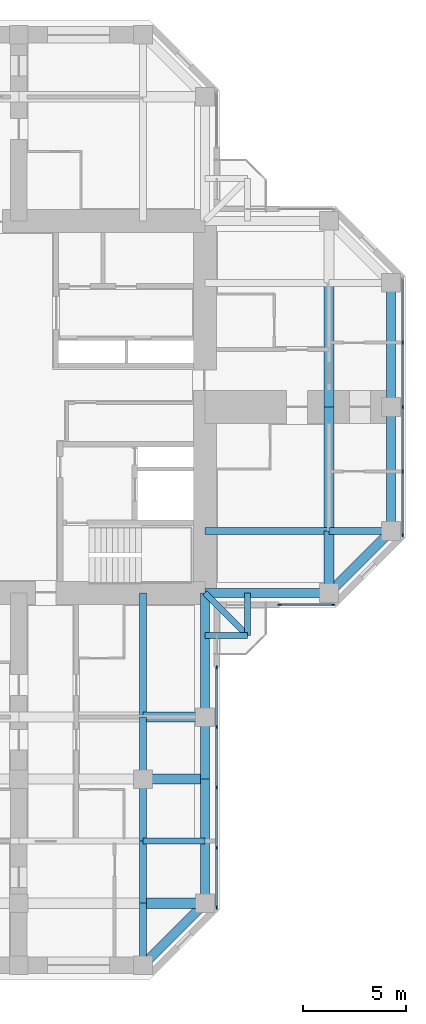
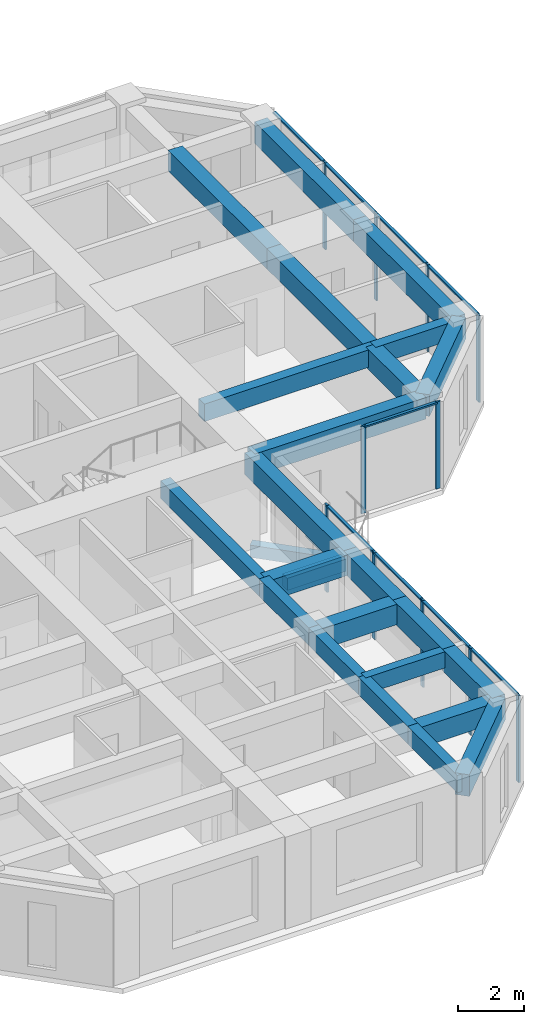
# One storey, part 4 of 14: 26 beams, 20 members, 3 elements without a shape of their own.
"""IFC4 building model written with IfcOpenShell, lengths in metres."""

from ifc_helpers import new_model, si_unit, direction, frame, origin, origin_2d, place, context, subcontext, project, spatial, rectangle, extrude, material, material_profile, profile_set, type_object, element, aggregate, save


model = new_model("IFC4")

# Units and contexts
model_context = context("Model", 3, precision=1e-05, world=origin(), true_north=direction((0.0, 1.0)))
body_context = subcontext(model_context, "Body", "Model", "MODEL_VIEW")
ifc_project = project(units=[si_unit("LENGTHUNIT", "METRE"), si_unit("AREAUNIT", "SQUARE_METRE"), si_unit("VOLUMEUNIT", "CUBIC_METRE"), si_unit("PLANEANGLEUNIT", "RADIAN"), si_unit("MASSUNIT", "GRAM", prefix="KILO")], contexts=[model_context])

# Site, building, storey
site_placement = place(None, origin())
site = spatial("IfcSite", under=ifc_project, at=site_placement, CompositionType="ELEMENT")
building_placement = place(site_placement, origin())
building = spatial("IfcBuilding", under=site, at=building_placement, Name="Torre Cruceta", CompositionType="ELEMENT")
storey_placement = place(building_placement, frame((0.0, 0.0, 176.300048828125)))
storey = spatial("IfcBuildingStorey", under=building, at=storey_placement, Name="L43", CompositionType="ELEMENT", Elevation=176.300048828125)

# Beams
ifc_material_1 = material(Name="Concrete G60 (fck 60 MPa)", Category="concrete")
ifc_material_profile_1 = material_profile(ifc_material_1, rectangle(XDim=0.300048828125, YDim=0.449951171875, at=origin_2d()), Name="RC 300X450")
ifc_profile_set_1 = profile_set([ifc_material_profile_1], Name="Concrete G60 (fck 60 MPa)")
beam_type_1 = type_object("IfcBeamType", Name="BALCONY CANTILEVER BEAM RC 300X450", PredefinedType="BEAM", material=ifc_profile_set_1)
beam_1_placement = place(storey_placement, frame((9.0, -9.0, -0.405029296875), z_axis=(0.707106781187, -0.707106781187, 0.0), x_axis=(0.707106781187, 0.707106781187, 0.0)))
element("IfcBeam", 1, at=beam_1_placement, inside=storey, type_object=beam_type_1, Name="BB1 balcony beam L43 S", PredefinedType="BEAM", context=body_context, shape_type="SweptSolid", body=[
    extrude(rectangle(XDim=0.300048828125, YDim=0.449951171875, at=origin_2d()), origin(), (0.0, 0.0, 1.0), 2.89990234375),
])
for number, where, z_axis, x_axis, name in (
    (2, (11.050537109375, -9.0, -0.405029296875), (0.0, -1.0, 0.0), (1.0, 0.0, 0.0), "BB1 balcony edge beam L43 S-X"),
    (3, (9.0, -11.050537109375, -0.405029296875), (1.0, 0.0, 0.0), (0.0, 1.0, 0.0), "BB1 balcony edge beam L43 S-Y"),
):
    element("IfcBeam", number, at=place(storey_placement, frame(where, z_axis=z_axis, x_axis=x_axis)), inside=storey, type_object=beam_type_1, Name=name, PredefinedType="BEAM", context=body_context, shape_type="SweptSolid", body=[
        extrude(rectangle(XDim=0.300048828125, YDim=0.449951171875, at=origin_2d()), origin(), (0.0, 0.0, 1.0), 2.050537109375),
    ])
ifc_material_2 = material(Name="Concrete G60 (fck 60 MPa)", Category="concrete")
ifc_material_profile_2 = material_profile(ifc_material_2, rectangle(XDim=0.35009765625, YDim=0.64990234375, at=origin_2d()), Name="RC 350X650")
ifc_profile_set_2 = profile_set([ifc_material_profile_2], Name="Concrete G60 (fck 60 MPa)")
beam_type_2 = type_object("IfcBeamType", Name="COLUMN LINE BEAM RC 350X650", PredefinedType="BEAM", material=ifc_profile_set_2)
beam_2_placement = place(storey_placement, frame((9.0, -6.0, 2.89501953125), z_axis=(1.0, 0.0, 0.0), x_axis=(0.0, 1.0, 0.0)))
element("IfcBeam", 4, at=beam_2_placement, inside=storey, type_object=beam_type_2, Name="LB7 L43 E col- 1", PredefinedType="BEAM", context=body_context, shape_type="SweptSolid", body=[
    extrude(rectangle(XDim=0.35009765625, YDim=0.64990234375, at=origin_2d()), origin(), (0.0, 0.0, 1.0), 6.0),
])
beam_3_placement = place(storey_placement, frame((15.0, -6.0, 2.89501953125), z_axis=(1.0, 0.0, 0.0), x_axis=(0.0, 1.0, 0.0)))
element("IfcBeam", 5, at=beam_3_placement, inside=storey, type_object=beam_type_2, Name="LB7 L43 E col- 2", PredefinedType="BEAM", context=body_context, shape_type="SweptSolid", body=[
    extrude(rectangle(XDim=0.35009765625, YDim=0.64990234375, at=origin_2d()), origin(), (0.0, 0.0, 1.0), 3.0),
])
beam_4_placement = place(storey_placement, frame((6.0, -9.0, 2.89501953125), z_axis=(0.0, -1.0, 0.0), x_axis=(1.0, 0.0, 0.0)))
element("IfcBeam", 6, at=beam_4_placement, inside=storey, type_object=beam_type_2, Name="LB7 L43 S col+ 1", PredefinedType="BEAM", context=body_context, shape_type="SweptSolid", body=[
    extrude(rectangle(XDim=0.35009765625, YDim=0.64990234375, at=origin_2d()), origin(), (0.0, 0.0, 1.0), 6.0),
])
for number, where, z_axis, x_axis, name in (
    (7, (6.0, -15.0, 2.89501953125), (0.0, -1.0, 0.0), (1.0, 0.0, 0.0), "LB7 L43 S col+ 2"),
    (8, (6.0, -18.0, 2.89501953125), (0.0, -1.0, 0.0), (1.0, 0.0, 0.0), "LB7 L43 S col+ 3"),
    (9, (6.0, -21.0, 2.89501953125), (0.0, -1.0, 0.0), (1.0, 0.0, 0.0), "LB7 L43 S col+ 4"),
    (10, (6.0, -24.0, 2.89501953125), (0.0, -1.0, 0.0), (1.0, 0.0, 0.0), "LB7 L43 S col+ 5"),
):
    element("IfcBeam", number, at=place(storey_placement, frame(where, z_axis=z_axis, x_axis=x_axis)), inside=storey, type_object=beam_type_2, Name=name, PredefinedType="BEAM", context=body_context, shape_type="SweptSolid", body=[
        extrude(rectangle(XDim=0.35009765625, YDim=0.64990234375, at=origin_2d()), origin(), (0.0, 0.0, 1.0), 3.0),
    ])
ifc_material_3 = material(Name="Concrete G60 (fck 60 MPa)", Category="concrete")
ifc_material_profile_3 = material_profile(ifc_material_3, rectangle(XDim=0.5, YDim=0.75, at=origin_2d()), Name="RC 500X750")
ifc_profile_set_3 = profile_set([ifc_material_profile_3], Name="Concrete G60 (fck 60 MPa)")
beam_type_3 = type_object("IfcBeamType", Name="CROSS BEAM RC 500X750", PredefinedType="BEAM", material=ifc_profile_set_3)
beam_5_placement = place(storey_placement, frame((15.0, -9.0, 2.844970703125), z_axis=(0.0, 1.0, 0.0), x_axis=(-1.0, 0.0, 0.0)))
element("IfcBeam", 11, at=beam_5_placement, inside=storey, type_object=beam_type_3, Name="GB6 L43 E cross15 1", PredefinedType="BEAM", context=body_context, shape_type="SweptSolid", body=[
    extrude(rectangle(XDim=0.5, YDim=0.75, at=origin_2d()), origin(), (0.0, 0.0, 1.0), 3.0),
])
for number, where, z_axis, x_axis, name in (
    (12, (15.0, -6.0, 2.844970703125), (0.0, 1.0, 0.0), (-1.0, 0.0, 0.0), "GB6 L43 E cross15 2"),
    (13, (15.0, 0.0, 2.844970703125), (0.0, 1.0, 0.0), (-1.0, 0.0, 0.0), "GB6 L43 E cross15 3"),
):
    element("IfcBeam", number, at=place(storey_placement, frame(where, z_axis=z_axis, x_axis=x_axis)), inside=storey, type_object=beam_type_3, Name=name, PredefinedType="BEAM", context=body_context, shape_type="SweptSolid", body=[
        extrude(rectangle(XDim=0.5, YDim=0.75, at=origin_2d()), origin(), (0.0, 0.0, 1.0), 6.0),
    ])
for number, where, z_axis, x_axis, name in (
    (14, (6.0, -15.0, 2.844970703125), (1.0, 0.0, 0.0), (0.0, 1.0, 0.0), "GB6 L43 S cross15 4"),
    (15, (6.0, -18.0, 2.844970703125), (1.0, 0.0, 0.0), (0.0, 1.0, 0.0), "GB6 L43 S cross18 4"),
    (16, (6.0, -24.0, 2.844970703125), (1.0, 0.0, 0.0), (0.0, 1.0, 0.0), "GB6 L43 S cross24 4"),
):
    element("IfcBeam", number, at=place(storey_placement, frame(where, z_axis=z_axis, x_axis=x_axis)), inside=storey, type_object=beam_type_3, Name=name, PredefinedType="BEAM", context=body_context, shape_type="SweptSolid", body=[
        extrude(rectangle(XDim=0.5, YDim=0.75, at=origin_2d()), origin(), (0.0, 0.0, 1.0), 3.0),
    ])

# Curtain wall, members
ifc_material_4 = material(Name="Aluminium unitised curtain wall", Category="aluminium")
curtain_wall_type = type_object("IfcCurtainWallType", Name="CURTAIN WALL CW-C CO-LIVING", PredefinedType="USERDEFINED", material=ifc_material_4)
curtain_wall_1_placement = place(storey_placement, origin())
curtain_wall_1 = element("IfcCurtainWall", 17, at=curtain_wall_1_placement, inside=storey, type_object=curtain_wall_type, Name="CW-C L43 E side 00", ObjectType="UNITISED", PredefinedType="USERDEFINED")
ifc_material_5 = material(Name="Aluminium mullion", Category="aluminium")
ifc_material_profile_4 = material_profile(ifc_material_5, rectangle(XDim=0.06005859375, YDim=0.159912109375, at=origin_2d()), Name="AL 60X160")
ifc_profile_set_4 = profile_set([ifc_material_profile_4], Name="Aluminium mullion")
member_type_1 = type_object("IfcMemberType", Name="CW-C MULLION 60X160", PredefinedType="MULLION", material=ifc_profile_set_4)
member_1_placement = place(storey_placement, frame((12.60009765625, -9.570068359375, 0.0), z_axis=(0.0, 0.0, 1.0), x_axis=(0.0, 1.0, 0.0)))
member_1 = element("IfcMember", 18, at=member_1_placement, type_object=member_type_1, Name="CW-C mullion 1", PredefinedType="MULLION", context=body_context, shape_type="SweptSolid", body=[
    extrude(rectangle(XDim=0.06005859375, YDim=0.159912109375, at=origin_2d()), origin(), (0.0, 0.0, 1.0), 3.219970703125),
])
member_2_placement = place(storey_placement, frame((15.2060546875, -9.570068359375, 0.0), z_axis=(0.0, 0.0, 1.0), x_axis=(0.0, 1.0, 0.0)))
member_2 = element("IfcMember", 19, at=member_2_placement, type_object=member_type_1, Name="CW-C mullion 2", PredefinedType="MULLION", context=body_context, shape_type="SweptSolid", body=[
    extrude(rectangle(XDim=0.06005859375, YDim=0.159912109375, at=origin_2d()), origin(), (0.0, 0.0, 1.0), 3.219970703125),
])

curtain_wall_2_placement = place(storey_placement, origin())
curtain_wall_2 = element("IfcCurtainWall", 20, at=curtain_wall_2_placement, inside=storey, type_object=curtain_wall_type, Name="CW-C L43 E tip 02", ObjectType="UNITISED", PredefinedType="USERDEFINED")
member_3_placement = place(storey_placement, frame((18.570068359375, -6.2060546875, 0.0), z_axis=(0.0, 0.0, 1.0), x_axis=(-1.0, 0.0, 0.0)))
member_3 = element("IfcMember", 21, at=member_3_placement, type_object=member_type_1, Name="CW-C mullion 1", PredefinedType="MULLION", context=body_context, shape_type="SweptSolid", body=[
    extrude(rectangle(XDim=0.06005859375, YDim=0.159912109375, at=origin_2d()), origin(), (0.0, 0.0, 1.0), 3.219970703125),
])
member_4_placement = place(storey_placement, frame((18.570068359375, -3.1181640625, 0.0), z_axis=(0.0, 0.0, 1.0), x_axis=(-1.0, 0.0, 0.0)))
member_4 = element("IfcMember", 22, at=member_4_placement, type_object=member_type_1, Name="CW-C mullion 2", PredefinedType="MULLION", context=body_context, shape_type="SweptSolid", body=[
    extrude(rectangle(XDim=0.06005859375, YDim=0.159912109375, at=origin_2d()), origin(), (0.0, 0.0, 1.0), 3.219970703125),
])
member_5_placement = place(storey_placement, frame((18.570068359375, 0.0, 0.0), z_axis=(0.0, 0.0, 1.0), x_axis=(-1.0, 0.0, 0.0)))
member_5 = element("IfcMember", 23, at=member_5_placement, type_object=member_type_1, Name="CW-C mullion 3", PredefinedType="MULLION", context=body_context, shape_type="SweptSolid", body=[
    extrude(rectangle(XDim=0.06005859375, YDim=0.159912109375, at=origin_2d()), origin(), (0.0, 0.0, 1.0), 3.219970703125),
])
member_6_placement = place(storey_placement, frame((18.570068359375, 3.1181640625, 0.0), z_axis=(0.0, 0.0, 1.0), x_axis=(-1.0, 0.0, 0.0)))
member_6 = element("IfcMember", 24, at=member_6_placement, type_object=member_type_1, Name="CW-C mullion 4", PredefinedType="MULLION", context=body_context, shape_type="SweptSolid", body=[
    extrude(rectangle(XDim=0.06005859375, YDim=0.159912109375, at=origin_2d()), origin(), (0.0, 0.0, 1.0), 3.219970703125),
])

curtain_wall_3_placement = place(storey_placement, origin())
curtain_wall_3 = element("IfcCurtainWall", 25, at=curtain_wall_3_placement, inside=storey, type_object=curtain_wall_type, Name="CW-C L43 S side 19", ObjectType="UNITISED", PredefinedType="USERDEFINED")
member_7_placement = place(storey_placement, frame((9.570068359375, -24.2060546875, 0.0), z_axis=(0.0, 0.0, 1.0), x_axis=(-1.0, 0.0, 0.0)))
member_7 = element("IfcMember", 26, at=member_7_placement, type_object=member_type_1, Name="CW-C mullion 1", PredefinedType="MULLION", context=body_context, shape_type="SweptSolid", body=[
    extrude(rectangle(XDim=0.06005859375, YDim=0.159912109375, at=origin_2d()), origin(), (0.0, 0.0, 1.0), 3.219970703125),
])
member_8_placement = place(storey_placement, frame((9.570068359375, -21.319580078125, 0.0), z_axis=(0.0, 0.0, 1.0), x_axis=(-1.0, 0.0, 0.0)))
member_8 = element("IfcMember", 27, at=member_8_placement, type_object=member_type_1, Name="CW-C mullion 2", PredefinedType="MULLION", context=body_context, shape_type="SweptSolid", body=[
    extrude(rectangle(XDim=0.06005859375, YDim=0.159912109375, at=origin_2d()), origin(), (0.0, 0.0, 1.0), 3.219970703125),
])
member_9_placement = place(storey_placement, frame((9.570068359375, -18.403076171875, 0.0), z_axis=(0.0, 0.0, 1.0), x_axis=(-1.0, 0.0, 0.0)))
member_9 = element("IfcMember", 28, at=member_9_placement, type_object=member_type_1, Name="CW-C mullion 3", PredefinedType="MULLION", context=body_context, shape_type="SweptSolid", body=[
    extrude(rectangle(XDim=0.06005859375, YDim=0.159912109375, at=origin_2d()), origin(), (0.0, 0.0, 1.0), 3.219970703125),
])
member_10_placement = place(storey_placement, frame((9.570068359375, -15.486572265625, 0.0), z_axis=(0.0, 0.0, 1.0), x_axis=(-1.0, 0.0, 0.0)))
member_10 = element("IfcMember", 29, at=member_10_placement, type_object=member_type_1, Name="CW-C mullion 4", PredefinedType="MULLION", context=body_context, shape_type="SweptSolid", body=[
    extrude(rectangle(XDim=0.06005859375, YDim=0.159912109375, at=origin_2d()), origin(), (0.0, 0.0, 1.0), 3.219970703125),
])
member_11_placement = place(storey_placement, frame((9.570068359375, -12.60009765625, 0.0), z_axis=(0.0, 0.0, 1.0), x_axis=(-1.0, 0.0, 0.0)))
member_11 = element("IfcMember", 30, at=member_11_placement, type_object=member_type_1, Name="CW-C mullion 5", PredefinedType="MULLION", context=body_context, shape_type="SweptSolid", body=[
    extrude(rectangle(XDim=0.06005859375, YDim=0.159912109375, at=origin_2d()), origin(), (0.0, 0.0, 1.0), 3.219970703125),
])

# Member
ifc_material_6 = material(Name="Aluminium transom", Category="aluminium")
ifc_material_profile_5 = material_profile(ifc_material_6, rectangle(XDim=0.10009765625, YDim=0.06005859375, at=origin_2d()), Name="AL 100X60")
ifc_profile_set_5 = profile_set([ifc_material_profile_5], Name="Aluminium transom")
member_type_2 = type_object("IfcMemberType", Name="CW-C TRANSOM 60X100", PredefinedType="USERDEFINED", material=ifc_profile_set_5)
member_12_placement = place(storey_placement, frame((12.6298828125, -9.570068359375, 3.18994140625), z_axis=(1.0, 0.0, 0.0), x_axis=(0.0, 1.0, 0.0)))
member_12 = element("IfcMember", 31, at=member_12_placement, type_object=member_type_2, Name="CW-C transom 1", ObjectType="TRANSOM", PredefinedType="USERDEFINED", context=body_context, shape_type="SweptSolid", body=[
    extrude(rectangle(XDim=0.10009765625, YDim=0.06005859375, at=origin_2d()), origin(), (0.0, 0.0, 1.0), 2.546142578125),
])

aggregate(curtain_wall_1, [member_1, member_2, member_12])

member_13_placement = place(storey_placement, frame((18.570068359375, -6.176025390625, 3.18994140625), z_axis=(0.0, 1.0, 0.0), x_axis=(-1.0, 0.0, 0.0)))
member_13 = element("IfcMember", 32, at=member_13_placement, type_object=member_type_2, Name="CW-C transom 1", ObjectType="TRANSOM", PredefinedType="USERDEFINED", context=body_context, shape_type="SweptSolid", body=[
    extrude(rectangle(XDim=0.10009765625, YDim=0.06005859375, at=origin_2d()), origin(), (0.0, 0.0, 1.0), 3.028076171875),
])

member_14_placement = place(storey_placement, frame((18.570068359375, -3.088134765625, 3.18994140625), z_axis=(0.0, 1.0, 0.0), x_axis=(-1.0, 0.0, 0.0)))
member_14 = element("IfcMember", 33, at=member_14_placement, type_object=member_type_2, Name="CW-C transom 2", ObjectType="TRANSOM", PredefinedType="USERDEFINED", context=body_context, shape_type="SweptSolid", body=[
    extrude(rectangle(XDim=0.10009765625, YDim=0.06005859375, at=origin_2d()), origin(), (0.0, 0.0, 1.0), 3.05810546875),
])

member_15_placement = place(storey_placement, frame((18.570068359375, 0.030029296875, 3.18994140625), z_axis=(0.0, 1.0, 0.0), x_axis=(-1.0, 0.0, 0.0)))
member_15 = element("IfcMember", 34, at=member_15_placement, type_object=member_type_2, Name="CW-C transom 3", ObjectType="TRANSOM", PredefinedType="USERDEFINED", context=body_context, shape_type="SweptSolid", body=[
    extrude(rectangle(XDim=0.10009765625, YDim=0.06005859375, at=origin_2d()), origin(), (0.0, 0.0, 1.0), 3.05810546875),
])

member_16_placement = place(storey_placement, frame((18.570068359375, 3.14794921875, 3.18994140625), z_axis=(0.0, 1.0, 0.0), x_axis=(-1.0, 0.0, 0.0)))
member_16 = element("IfcMember", 35, at=member_16_placement, type_object=member_type_2, Name="CW-C transom 4", ObjectType="TRANSOM", PredefinedType="USERDEFINED", context=body_context, shape_type="SweptSolid", body=[
    extrude(rectangle(XDim=0.10009765625, YDim=0.06005859375, at=origin_2d()), origin(), (0.0, 0.0, 1.0), 3.028076171875),
])

aggregate(curtain_wall_2, [member_3, member_4, member_5, member_6, member_13, member_14, member_15, member_16])

member_17_placement = place(storey_placement, frame((9.570068359375, -24.176025390625, 3.18994140625), z_axis=(0.0, 1.0, 0.0), x_axis=(-1.0, 0.0, 0.0)))
member_17 = element("IfcMember", 36, at=member_17_placement, type_object=member_type_2, Name="CW-C transom 1", ObjectType="TRANSOM", PredefinedType="USERDEFINED", context=body_context, shape_type="SweptSolid", body=[
    extrude(rectangle(XDim=0.10009765625, YDim=0.06005859375, at=origin_2d()), origin(), (0.0, 0.0, 1.0), 2.826416015625),
])

member_18_placement = place(storey_placement, frame((9.570068359375, -21.28955078125, 3.18994140625), z_axis=(0.0, 1.0, 0.0), x_axis=(-1.0, 0.0, 0.0)))
member_18 = element("IfcMember", 37, at=member_18_placement, type_object=member_type_2, Name="CW-C transom 2", ObjectType="TRANSOM", PredefinedType="USERDEFINED", context=body_context, shape_type="SweptSolid", body=[
    extrude(rectangle(XDim=0.10009765625, YDim=0.06005859375, at=origin_2d()), origin(), (0.0, 0.0, 1.0), 2.8564453125),
])

member_19_placement = place(storey_placement, frame((9.570068359375, -18.373046875, 3.18994140625), z_axis=(0.0, 1.0, 0.0), x_axis=(-1.0, 0.0, 0.0)))
member_19 = element("IfcMember", 38, at=member_19_placement, type_object=member_type_2, Name="CW-C transom 3", ObjectType="TRANSOM", PredefinedType="USERDEFINED", context=body_context, shape_type="SweptSolid", body=[
    extrude(rectangle(XDim=0.10009765625, YDim=0.06005859375, at=origin_2d()), origin(), (0.0, 0.0, 1.0), 2.8564453125),
])

member_20_placement = place(storey_placement, frame((9.570068359375, -15.45654296875, 3.18994140625), z_axis=(0.0, 1.0, 0.0), x_axis=(-1.0, 0.0, 0.0)))
member_20 = element("IfcMember", 39, at=member_20_placement, type_object=member_type_2, Name="CW-C transom 4", ObjectType="TRANSOM", PredefinedType="USERDEFINED", context=body_context, shape_type="SweptSolid", body=[
    extrude(rectangle(XDim=0.10009765625, YDim=0.06005859375, at=origin_2d()), origin(), (0.0, 0.0, 1.0), 2.82666015625),
])

aggregate(curtain_wall_3, [member_7, member_8, member_9, member_10, member_11, member_17, member_18, member_19, member_20])

# Beams
ifc_material_7 = material(Name="Concrete G60 (fck 60 MPa)", Category="concrete")
ifc_material_profile_6 = material_profile(ifc_material_7, rectangle(XDim=0.300048828125, YDim=0.60009765625, at=origin_2d()), Name="RC 300X600")
ifc_profile_set_6 = profile_set([ifc_material_profile_6], Name="Concrete G60 (fck 60 MPa)")
beam_type_4 = type_object("IfcBeamType", Name="SECONDARY BEAM RC 300X600", PredefinedType="JOIST", material=ifc_profile_set_6)
beam_6_placement = place(storey_placement, frame((6.0, -21.0, 2.919921875), z_axis=(1.0, 0.0, 0.0), x_axis=(0.0, 1.0, 0.0)))
element("IfcBeam", 40, at=beam_6_placement, inside=storey, type_object=beam_type_4, Name="JB6 L43 S sec21 4", PredefinedType="JOIST", context=body_context, shape_type="SweptSolid", body=[
    extrude(rectangle(XDim=0.300048828125, YDim=0.60009765625, at=origin_2d()), origin(), (0.0, 0.0, 1.0), 3.0),
])
ifc_material_8 = material(Name="Concrete G60 (fck 60 MPa)", Category="concrete")
ifc_material_profile_7 = material_profile(ifc_material_8, rectangle(XDim=0.449951171875, YDim=0.800048828125, at=origin_2d()), Name="RC 450X800")
ifc_profile_set_7 = profile_set([ifc_material_profile_7], Name="Concrete G60 (fck 60 MPa)")
beam_type_5 = type_object("IfcBeamType", Name="SPANDREL BEAM RC 450X800", PredefinedType="SPANDREL", material=ifc_profile_set_7)
beam_7_placement = place(storey_placement, frame((9.0, -9.0, 2.820068359375), z_axis=(1.0, 0.0, 0.0), x_axis=(0.0, 1.0, 0.0)))
element("IfcBeam", 41, at=beam_7_placement, inside=storey, type_object=beam_type_5, Name="SB6 L43 E side- 1", PredefinedType="SPANDREL", context=body_context, shape_type="SweptSolid", body=[
    extrude(rectangle(XDim=0.449951171875, YDim=0.800048828125, at=origin_2d()), origin(), (0.0, 0.0, 1.0), 6.0),
])
beam_8_placement = place(storey_placement, frame((15.0, -9.0, 2.820068359375), z_axis=(0.707106781187, 0.707106781187, 0.0), x_axis=(-0.707106781187, 0.707106781187, 0.0)))
element("IfcBeam", 42, at=beam_8_placement, inside=storey, type_object=beam_type_5, Name="SB6 L43 E side- 2", PredefinedType="SPANDREL", context=body_context, shape_type="SweptSolid", body=[
    extrude(rectangle(XDim=0.449951171875, YDim=0.800048828125, at=origin_2d()), origin(), (0.0, 0.0, 1.0), 4.24267578125),
])
for number, where, z_axis, x_axis, name in (
    (43, (18.0, -6.0, 2.820068359375), (0.0, 1.0, 0.0), (-1.0, 0.0, 0.0), "SB6 L43 E tip 1"),
    (44, (18.0, 0.0, 2.820068359375), (0.0, 1.0, 0.0), (-1.0, 0.0, 0.0), "SB6 L43 E tip 2"),
    (45, (9.0, -9.0, 2.820068359375), (0.0, -1.0, 0.0), (1.0, 0.0, 0.0), "SB6 L43 S side+ 1"),
):
    element("IfcBeam", number, at=place(storey_placement, frame(where, z_axis=z_axis, x_axis=x_axis)), inside=storey, type_object=beam_type_5, Name=name, PredefinedType="SPANDREL", context=body_context, shape_type="SweptSolid", body=[
        extrude(rectangle(XDim=0.449951171875, YDim=0.800048828125, at=origin_2d()), origin(), (0.0, 0.0, 1.0), 6.0),
    ])
for number, where, z_axis, x_axis, name in (
    (46, (9.0, -15.0, 2.820068359375), (0.0, -1.0, 0.0), (1.0, 0.0, 0.0), "SB6 L43 S side+ 2"),
    (47, (9.0, -18.0, 2.820068359375), (0.0, -1.0, 0.0), (1.0, 0.0, 0.0), "SB6 L43 S side+ 3"),
    (48, (9.0, -21.0, 2.820068359375), (0.0, -1.0, 0.0), (1.0, 0.0, 0.0), "SB6 L43 S side+ 4"),
):
    element("IfcBeam", number, at=place(storey_placement, frame(where, z_axis=z_axis, x_axis=x_axis)), inside=storey, type_object=beam_type_5, Name=name, PredefinedType="SPANDREL", context=body_context, shape_type="SweptSolid", body=[
        extrude(rectangle(XDim=0.449951171875, YDim=0.800048828125, at=origin_2d()), origin(), (0.0, 0.0, 1.0), 3.0),
    ])
beam_9_placement = place(storey_placement, frame((9.0, -24.0, 2.820068359375), z_axis=(-0.707106781187, -0.707106781187, 0.0), x_axis=(0.707106781187, -0.707106781187, 0.0)))
element("IfcBeam", 49, at=beam_9_placement, inside=storey, type_object=beam_type_5, Name="SB6 L43 S side+ 5", PredefinedType="SPANDREL", context=body_context, shape_type="SweptSolid", body=[
    extrude(rectangle(XDim=0.449951171875, YDim=0.800048828125, at=origin_2d()), origin(), (0.0, 0.0, 1.0), 4.24267578125),
])

save(model, "model.ifc")
